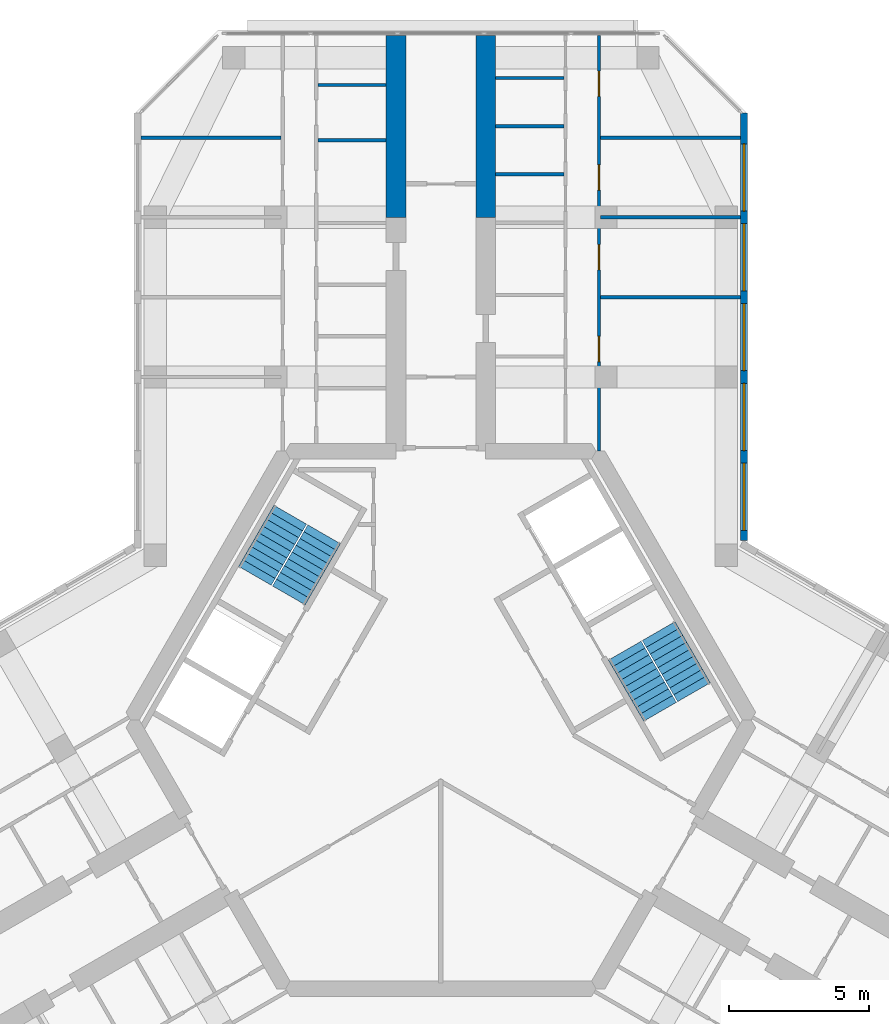
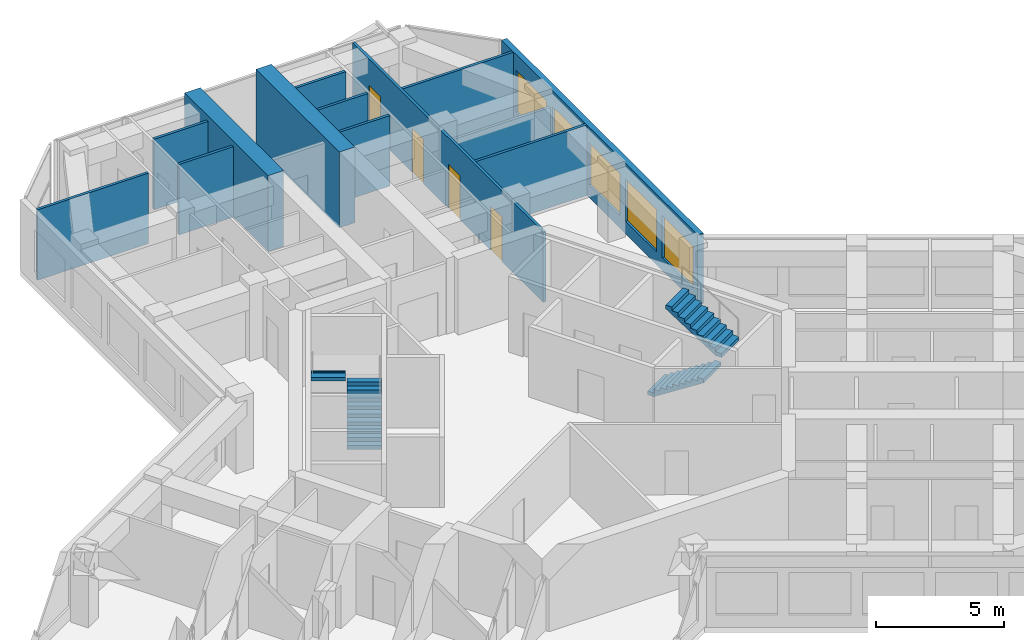
# One storey, part 13 of 14: 13 walls, 5 windows, 4 doors, 4 stair flights, 9 openings, 2 elements without a shape of their own.
"""IFC4 building model written with IfcOpenShell, lengths in metres."""

from ifc_helpers import new_model, si_unit, direction, frame, frame_2d, origin, place, context, subcontext, project, spatial, polyline, rectangle, outline, extrude, material, layer, layer_set, type_object, element, fill, aggregate, save


model = new_model("IFC4")

# Units and contexts
model_context = context("Model", 3, precision=1e-05, world=origin(), true_north=direction((0.0, 1.0)))
body_context = subcontext(model_context, "Body", "Model", "MODEL_VIEW")
ifc_project = project(units=[si_unit("LENGTHUNIT", "METRE"), si_unit("AREAUNIT", "SQUARE_METRE"), si_unit("VOLUMEUNIT", "CUBIC_METRE"), si_unit("PLANEANGLEUNIT", "RADIAN"), si_unit("MASSUNIT", "GRAM", prefix="KILO")], contexts=[model_context])

# Site, building, storey
site_placement = place(None, origin())
site = spatial("IfcSite", under=ifc_project, at=site_placement, CompositionType="ELEMENT")
building_placement = place(site_placement, origin())
building = spatial("IfcBuilding", under=site, at=building_placement, Name="Kosmar Iwan School Tower", CompositionType="ELEMENT")
storey_placement = place(building_placement, frame((0.0, 0.0, 267.39990234375)))
storey = spatial("IfcBuildingStorey", under=building, at=storey_placement, Name="L67", CompositionType="ELEMENT", Elevation=267.39990234375)

# Walls
ifc_material_1 = material(Name="Concrete C50/60", Category="concrete")
ifc_layer_1 = layer(ifc_material_1, 0.699951171875)
ifc_layer_set_1 = layer_set([ifc_layer_1], Name="Corridor buttress wall 700")
wall_type_1 = type_object("IfcWallType", Name="Corridor buttress wall 700", PredefinedType="SHEAR", material=ifc_layer_set_1)
for number, where, z_axis, x_axis, name in (
    (1, (-1.60009765625, 17.949951171875, 0.0), (0.0, 0.0, 1.0), (0.0, 1.0, 0.0), "Corridor wall AL bay 2"),
    (2, (1.60009765625, 17.949951171875, 0.0), (0.0, 0.0, 1.0), (0.0, 1.0, 0.0), "Corridor wall AR bay 2"),
):
    element("IfcWall", number, at=place(storey_placement, frame(where, z_axis=z_axis, x_axis=x_axis)), inside=storey, type_object=wall_type_1, Name=name, PredefinedType="SHEAR", context=body_context, shape_type="SweptSolid", body=[
        extrude(rectangle(XDim=6.4951171875, YDim=0.699951171875, at=frame_2d((3.24755859375, 0.0))), origin(), (0.0, 0.0, 1.0), 3.60009765625),
    ])
ifc_material_2 = material(Name="Gypsum board on steel studs", Category="steel")
ifc_layer_2 = layer(ifc_material_2, 0.1201171875)
ifc_layer_set_2 = layer_set([ifc_layer_2], Name="Dwelling partition 120")
wall_type_2 = type_object("IfcWallType", Name="Dwelling partition 120", PredefinedType="PARTITIONING", material=ifc_layer_set_2)
wall_1_placement = place(storey_placement, frame((-5.7099609375, 20.800048828125, 0.0), z_axis=(0.0, 0.0, 1.0), x_axis=(-1.0, 0.0, 0.0)))
element("IfcWall", 3, at=wall_1_placement, inside=storey, type_object=wall_type_2, Name="Partition L67-AL1-X4", PredefinedType="PARTITIONING", context=body_context, shape_type="SweptSolid", body=[
    extrude(rectangle(XDim=4.989990234375, YDim=0.1201171875, at=frame_2d((2.4951171875, 0.0))), origin(), (0.0, 0.0, 1.0), 3.35009765625),
])
for number, where, z_axis, x_axis, name in (
    (4, (-1.949951171875, 20.70703125, 0.0), (0.0, 0.0, 1.0), (-1.0, 0.0, 0.0), "Partition L67-AL1-Y5"),
    (5, (-1.949951171875, 22.678466796875, 0.0), (0.0, 0.0, 1.0), (-1.0, 0.0, 0.0), "Partition L67-AL1-Y6"),
):
    element("IfcWall", number, at=place(storey_placement, frame(where, z_axis=z_axis, x_axis=x_axis)), inside=storey, type_object=wall_type_2, Name=name, PredefinedType="PARTITIONING", context=body_context, shape_type="SweptSolid", body=[
        extrude(rectangle(XDim=2.43994140625, YDim=0.1201171875, at=frame_2d((1.219970703125, 0.0))), origin(), (0.0, 0.0, 1.0), 3.35009765625),
    ])

# Wall, openings, doors
wall_2_placement = place(storey_placement, frame((5.64990234375, 9.60009765625, 0.0), z_axis=(0.0, 0.0, 1.0), x_axis=(0.0, 1.0, 0.0)))
wall_2 = element("IfcWall", 6, at=wall_2_placement, inside=storey, type_object=wall_type_2, Name="Partition L67-AR1-W2", PredefinedType="PARTITIONING", context=body_context, shape_type="SweptSolid", body=[
    extrude(rectangle(XDim=14.844970703125, YDim=0.1201171875, at=frame_2d((7.42236328125, 0.0))), origin(), (0.0, 0.0, 1.0), 3.35009765625),
])
opening_1_placement = place(wall_2_placement, frame((3.199951171875, 0.0, 0.0)))
opening_1 = element("IfcOpeningElement", 7, at=opening_1_placement, cuts=wall_2, Name="Opening D2", PredefinedType="OPENING", context=body_context, shape_type="SweptSolid", body=[
    extrude(rectangle(XDim=0.89990234375, YDim=2.10009765625, at=frame_2d((0.449951171875, 1.050048828125))), frame((0.0, 0.072021484375, 0.0), z_axis=(0.0, -1.0, 0.0), x_axis=(1.0, 0.0, 0.0)), (0.0, 0.0, 1.0), 0.14404296875),
])
opening_2_placement = place(wall_2_placement, frame((6.47509765625, 0.0, 0.0)))
opening_2 = element("IfcOpeningElement", 8, at=opening_2_placement, cuts=wall_2, Name="Opening D2", PredefinedType="OPENING", context=body_context, shape_type="SweptSolid", body=[
    extrude(rectangle(XDim=0.89990234375, YDim=2.10009765625, at=frame_2d((0.449951171875, 1.050048828125))), frame((0.0, 0.072021484375, 0.0), z_axis=(0.0, -1.0, 0.0), x_axis=(1.0, 0.0, 0.0)), (0.0, 0.0, 1.0), 0.14404296875),
])
opening_3_placement = place(wall_2_placement, frame((9.324951171875, 0.0, 0.0)))
opening_3 = element("IfcOpeningElement", 9, at=opening_3_placement, cuts=wall_2, Name="Opening D2", PredefinedType="OPENING", context=body_context, shape_type="SweptSolid", body=[
    extrude(rectangle(XDim=0.89990234375, YDim=2.10009765625, at=frame_2d((0.449951171875, 1.050048828125))), frame((0.0, 0.072021484375, 0.0), z_axis=(0.0, -1.0, 0.0), x_axis=(1.0, 0.0, 0.0)), (0.0, 0.0, 1.0), 0.14404296875),
])
opening_4_placement = place(wall_2_placement, frame((12.675048828125, 0.0, 0.0)))
opening_4 = element("IfcOpeningElement", 10, at=opening_4_placement, cuts=wall_2, Name="Opening D2", PredefinedType="OPENING", context=body_context, shape_type="SweptSolid", body=[
    extrude(rectangle(XDim=0.89990234375, YDim=2.10009765625, at=frame_2d((0.449951171875, 1.050048828125))), frame((0.0, 0.072021484375, 0.0), z_axis=(0.0, -1.0, 0.0), x_axis=(1.0, 0.0, 0.0)), (0.0, 0.0, 1.0), 0.14404296875),
])
ifc_material_3 = material(Name="Timber door in timber frame", Category="wood")
door_type = type_object("IfcDoorType", Name="Internal door 900x2100", OperationType="SINGLE_SWING_LEFT", PredefinedType="DOOR", material=ifc_material_3)
door_1_placement = place(opening_1_placement, origin())
door_1 = element("IfcDoor", 11, at=door_1_placement, inside=storey, type_object=door_type, Name="Living room and kitchen door L67-AR1-F1", OperationType="SINGLE_SWING_LEFT", OverallHeight=2.10009765625, OverallWidth=0.89990234375, PredefinedType="DOOR", context=body_context, shape_type="SweptSolid", body=[
    extrude(rectangle(XDim=0.89990234375, YDim=2.10009765625, at=frame_2d((0.449951171875, 1.050048828125))), frame((0.0, 0.02490234375, 0.0), z_axis=(0.0, -1.0, 0.0), x_axis=(1.0, 0.0, 0.0)), (0.0, 0.0, 1.0), 0.050048828125),
])
fill(opening_1, door_1)
door_2_placement = place(opening_2_placement, origin())
door_2 = element("IfcDoor", 12, at=door_2_placement, inside=storey, type_object=door_type, Name="Study door L67-AR1-F2", OperationType="SINGLE_SWING_LEFT", OverallHeight=2.10009765625, OverallWidth=0.89990234375, PredefinedType="DOOR", context=body_context, shape_type="SweptSolid", body=[
    extrude(rectangle(XDim=0.89990234375, YDim=2.10009765625, at=frame_2d((0.449951171875, 1.050048828125))), frame((0.0, 0.02490234375, 0.0), z_axis=(0.0, -1.0, 0.0), x_axis=(1.0, 0.0, 0.0)), (0.0, 0.0, 1.0), 0.050048828125),
])
fill(opening_2, door_2)
door_3_placement = place(opening_3_placement, origin())
door_3 = element("IfcDoor", 13, at=door_3_placement, inside=storey, type_object=door_type, Name="Dining room door L67-AR1-F3", OperationType="SINGLE_SWING_RIGHT", OverallHeight=2.10009765625, OverallWidth=0.89990234375, PredefinedType="DOOR", context=body_context, shape_type="SweptSolid", body=[
    extrude(rectangle(XDim=0.89990234375, YDim=2.10009765625, at=frame_2d((0.449951171875, 1.050048828125))), frame((0.0, 0.02490234375, 0.0), z_axis=(0.0, -1.0, 0.0), x_axis=(1.0, 0.0, 0.0)), (0.0, 0.0, 1.0), 0.050048828125),
])
fill(opening_3, door_3)
door_4_placement = place(opening_4_placement, origin())
door_4 = element("IfcDoor", 14, at=door_4_placement, inside=storey, type_object=door_type, Name="Bedroom 1 door L67-AR1-F4", OperationType="SINGLE_SWING_RIGHT", OverallHeight=2.10009765625, OverallWidth=0.89990234375, PredefinedType="DOOR", context=body_context, shape_type="SweptSolid", body=[
    extrude(rectangle(XDim=0.89990234375, YDim=2.10009765625, at=frame_2d((0.449951171875, 1.050048828125))), frame((0.0, 0.02490234375, 0.0), z_axis=(0.0, -1.0, 0.0), x_axis=(1.0, 0.0, 0.0)), (0.0, 0.0, 1.0), 0.050048828125),
])
fill(opening_4, door_4)

# Walls
wall_3_placement = place(storey_placement, frame((5.7099609375, 15.10009765625, 0.0), z_axis=(0.0, 0.0, 1.0), x_axis=(1.0, 0.0, 0.0)))
element("IfcWall", 15, at=wall_3_placement, inside=storey, type_object=wall_type_2, Name="Partition L67-AR1-X1", PredefinedType="PARTITIONING", context=body_context, shape_type="SweptSolid", body=[
    extrude(rectangle(XDim=4.989990234375, YDim=0.1201171875, at=frame_2d((2.4951171875, 0.0))), origin(), (0.0, 0.0, 1.0), 3.35009765625),
])
wall_4_placement = place(storey_placement, frame((5.7099609375, 17.949951171875, 0.0), z_axis=(0.0, 0.0, 1.0), x_axis=(1.0, 0.0, 0.0)))
element("IfcWall", 16, at=wall_4_placement, inside=storey, type_object=wall_type_2, Name="Partition L67-AR1-X2", PredefinedType="PARTITIONING", context=body_context, shape_type="SweptSolid", body=[
    extrude(rectangle(XDim=4.989990234375, YDim=0.1201171875, at=frame_2d((2.4951171875, 0.0))), origin(), (0.0, 0.0, 1.0), 2.4501953125),
])
wall_5_placement = place(storey_placement, frame((5.7099609375, 20.800048828125, 0.0), z_axis=(0.0, 0.0, 1.0), x_axis=(1.0, 0.0, 0.0)))
element("IfcWall", 17, at=wall_5_placement, inside=storey, type_object=wall_type_2, Name="Partition L67-AR1-X3", PredefinedType="PARTITIONING", context=body_context, shape_type="SweptSolid", body=[
    extrude(rectangle(XDim=4.989990234375, YDim=0.1201171875, at=frame_2d((2.4951171875, 0.0))), origin(), (0.0, 0.0, 1.0), 3.35009765625),
])
for number, where, z_axis, x_axis, name in (
    (18, (1.949951171875, 19.484619140625, 0.0), (0.0, 0.0, 1.0), (1.0, 0.0, 0.0), "Partition L67-AR1-Y4"),
    (19, (1.949951171875, 21.206298828125, 0.0), (0.0, 0.0, 1.0), (1.0, 0.0, 0.0), "Partition L67-AR1-Y5"),
    (20, (1.949951171875, 22.92822265625, 0.0), (0.0, 0.0, 1.0), (1.0, 0.0, 0.0), "Partition L67-AR1-Y6"),
):
    element("IfcWall", number, at=place(storey_placement, frame(where, z_axis=z_axis, x_axis=x_axis)), inside=storey, type_object=wall_type_2, Name=name, PredefinedType="PARTITIONING", context=body_context, shape_type="SweptSolid", body=[
        extrude(rectangle(XDim=2.43994140625, YDim=0.1201171875, at=frame_2d((1.219970703125, 0.0))), origin(), (0.0, 0.0, 1.0), 3.35009765625),
    ])

# Wall, openings, windows
ifc_material_4 = material(Name="Black aluminium rainscreen on insulated framing", Category="aluminium")
ifc_layer_3 = layer(ifc_material_4, 0.25)
ifc_layer_set_3 = layer_set([ifc_layer_3], Name="External wall rainscreen 250")
wall_type_3 = type_object("IfcWallType", Name="External wall rainscreen 250", PredefinedType="SOLIDWALL", material=ifc_layer_set_3)
wall_6_placement = place(storey_placement, frame((10.824951171875, 6.408935546875, 0.0), z_axis=(0.0, 0.0, 1.0), x_axis=(0.0, 1.0, 0.0)))
wall_6 = element("IfcWall", 21, at=wall_6_placement, inside=storey, type_object=wall_type_3, Name="External wall AR L67", PredefinedType="SOLIDWALL", context=body_context, shape_type="SweptSolid", body=[
    extrude(rectangle(XDim=15.2763671875, YDim=0.25, at=frame_2d((7.63818359375, 0.0))), origin(), (0.0, 0.0, 1.0), 3.35009765625),
])
opening_5_placement = place(wall_6_placement, frame((0.365966796875, 0.0, 0.60009765625)))
opening_5 = element("IfcOpeningElement", 22, at=opening_5_placement, cuts=wall_6, Name="Opening W6", PredefinedType="OPENING", context=body_context, shape_type="SweptSolid", body=[
    extrude(rectangle(XDim=2.39990234375, YDim=2.0, at=frame_2d((1.199951171875, 1.0))), frame((0.0, 0.136962890625, 0.0), z_axis=(0.0, -1.0, 0.0), x_axis=(1.0, 0.0, 0.0)), (0.0, 0.0, 1.0), 0.27392578125),
])
opening_6_placement = place(wall_6_placement, frame((3.216064453125, 0.0, 0.60009765625)))
opening_6 = element("IfcOpeningElement", 23, at=opening_6_placement, cuts=wall_6, Name="Opening W6", PredefinedType="OPENING", context=body_context, shape_type="SweptSolid", body=[
    extrude(rectangle(XDim=2.39990234375, YDim=2.0, at=frame_2d((1.199951171875, 1.0))), frame((0.0, 0.136962890625, 0.0), z_axis=(0.0, -1.0, 0.0), x_axis=(1.0, 0.0, 0.0)), (0.0, 0.0, 1.0), 0.27392578125),
])
opening_7_placement = place(wall_6_placement, frame((6.06591796875, 0.0, 0.60009765625)))
opening_7 = element("IfcOpeningElement", 24, at=opening_7_placement, cuts=wall_6, Name="Opening W6", PredefinedType="OPENING", context=body_context, shape_type="SweptSolid", body=[
    extrude(rectangle(XDim=2.39990234375, YDim=2.0, at=frame_2d((1.199951171875, 1.0))), frame((0.0, 0.136962890625, 0.0), z_axis=(0.0, -1.0, 0.0), x_axis=(1.0, 0.0, 0.0)), (0.0, 0.0, 1.0), 0.27392578125),
])
opening_8_placement = place(wall_6_placement, frame((8.916015625, 0.0, 0.60009765625)))
opening_8 = element("IfcOpeningElement", 25, at=opening_8_placement, cuts=wall_6, Name="Opening W6", PredefinedType="OPENING", context=body_context, shape_type="SweptSolid", body=[
    extrude(rectangle(XDim=2.39990234375, YDim=2.0, at=frame_2d((1.199951171875, 1.0))), frame((0.0, 0.136962890625, 0.0), z_axis=(0.0, -1.0, 0.0), x_axis=(1.0, 0.0, 0.0)), (0.0, 0.0, 1.0), 0.27392578125),
])
opening_9_placement = place(wall_6_placement, frame((11.76611328125, 0.0, 0.60009765625)))
opening_9 = element("IfcOpeningElement", 26, at=opening_9_placement, cuts=wall_6, Name="Opening W6", PredefinedType="OPENING", context=body_context, shape_type="SweptSolid", body=[
    extrude(rectangle(XDim=2.39990234375, YDim=2.0, at=frame_2d((1.199951171875, 1.0))), frame((0.0, 0.136962890625, 0.0), z_axis=(0.0, -1.0, 0.0), x_axis=(1.0, 0.0, 0.0)), (0.0, 0.0, 1.0), 0.27392578125),
])
ifc_material_5 = material(Name="Black aluminium frame with dark triple glazing", Category="aluminium")
window_type = type_object("IfcWindowType", Name="Window 2400x2000", PartitioningType="SINGLE_PANEL", PredefinedType="WINDOW", material=ifc_material_5)
window_1_placement = place(opening_5_placement, origin())
window_1 = element("IfcWindow", 27, at=window_1_placement, inside=storey, type_object=window_type, Name="Window AR L67 -1", OverallHeight=2.0, OverallWidth=2.39990234375, PartitioningType="SINGLE_PANEL", PredefinedType="WINDOW", context=body_context, shape_type="SweptSolid", body=[
    extrude(rectangle(XDim=2.39990234375, YDim=2.0, at=frame_2d((1.199951171875, 1.0))), frame((0.0, 0.030029296875, 0.0), z_axis=(0.0, -1.0, 0.0), x_axis=(1.0, 0.0, 0.0)), (0.0, 0.0, 1.0), 0.06005859375),
])
fill(opening_5, window_1)
window_2_placement = place(opening_6_placement, origin())
window_2 = element("IfcWindow", 28, at=window_2_placement, inside=storey, type_object=window_type, Name="Window AR L67 0", OverallHeight=2.0, OverallWidth=2.39990234375, PartitioningType="SINGLE_PANEL", PredefinedType="WINDOW", context=body_context, shape_type="SweptSolid", body=[
    extrude(rectangle(XDim=2.39990234375, YDim=2.0, at=frame_2d((1.199951171875, 1.0))), frame((0.0, 0.030029296875, 0.0), z_axis=(0.0, -1.0, 0.0), x_axis=(1.0, 0.0, 0.0)), (0.0, 0.0, 1.0), 0.06005859375),
])
fill(opening_6, window_2)
window_3_placement = place(opening_7_placement, origin())
window_3 = element("IfcWindow", 29, at=window_3_placement, inside=storey, type_object=window_type, Name="Window AR L67 1", OverallHeight=2.0, OverallWidth=2.39990234375, PartitioningType="SINGLE_PANEL", PredefinedType="WINDOW", context=body_context, shape_type="SweptSolid", body=[
    extrude(rectangle(XDim=2.39990234375, YDim=2.0, at=frame_2d((1.199951171875, 1.0))), frame((0.0, 0.030029296875, 0.0), z_axis=(0.0, -1.0, 0.0), x_axis=(1.0, 0.0, 0.0)), (0.0, 0.0, 1.0), 0.06005859375),
])
fill(opening_7, window_3)
window_4_placement = place(opening_8_placement, origin())
window_4 = element("IfcWindow", 30, at=window_4_placement, inside=storey, type_object=window_type, Name="Window AR L67 2", OverallHeight=2.0, OverallWidth=2.39990234375, PartitioningType="SINGLE_PANEL", PredefinedType="WINDOW", context=body_context, shape_type="SweptSolid", body=[
    extrude(rectangle(XDim=2.39990234375, YDim=2.0, at=frame_2d((1.199951171875, 1.0))), frame((0.0, 0.030029296875, 0.0), z_axis=(0.0, -1.0, 0.0), x_axis=(1.0, 0.0, 0.0)), (0.0, 0.0, 1.0), 0.06005859375),
])
fill(opening_8, window_4)
window_5_placement = place(opening_9_placement, origin())
window_5 = element("IfcWindow", 31, at=window_5_placement, inside=storey, type_object=window_type, Name="Window AR L67 3", OverallHeight=2.0, OverallWidth=2.39990234375, PartitioningType="SINGLE_PANEL", PredefinedType="WINDOW", context=body_context, shape_type="SweptSolid", body=[
    extrude(rectangle(XDim=2.39990234375, YDim=2.0, at=frame_2d((1.199951171875, 1.0))), frame((0.0, 0.030029296875, 0.0), z_axis=(0.0, -1.0, 0.0), x_axis=(1.0, 0.0, 0.0)), (0.0, 0.0, 1.0), 0.06005859375),
])
fill(opening_9, window_5)

# Stair, stair flights
ifc_material_6 = material(Name="Concrete C35/45", Category="concrete")
stair_type = type_object("IfcStairType", Name="Core stair 2750", PredefinedType="HALF_TURN_STAIR", material=ifc_material_6)
stair_1_placement = place(storey_placement, origin())
stair_1 = element("IfcStair", 32, at=stair_1_placement, inside=storey, type_object=stair_type, Name="Stair ST2 L67", PredefinedType="HALF_TURN_STAIR")
ifc_material_7 = material(Name="Concrete C35/45", Category="concrete")
stair_flight_type = type_object("IfcStairFlightType", Name="Stair flight 1350", PredefinedType="STRAIGHT", material=ifc_material_7)
stair_flight_1_placement = place(storey_placement, frame((-5.42724609375, 4.44970703125, 0.0), z_axis=(0.0, 0.0, 1.0), x_axis=(0.5, 0.866025403784, 0.0)))
stair_flight_1 = element("IfcStairFlight", 33, at=stair_flight_1_placement, type_object=stair_flight_type, Name="ST2 flight 1", NumberOfRisers=10, NumberOfTreads=9, PredefinedType="STRAIGHT", RiserHeight=0.18, TreadLength=0.28, context=body_context, shape_type="SweptSolid", body=[
    extrude(outline(polyline([(0.0, 0.0), (0.0, 0.179931640625), (0.280029296875, 0.179931640625), (0.280029296875, 0.360107421875), (0.56005859375, 0.360107421875), (0.56005859375, 0.5400390625), (0.840087890625, 0.5400390625), (0.840087890625, 0.719970703125), (1.1201171875, 0.719970703125), (1.1201171875, 0.89990234375), (1.39990234375, 0.89990234375), (1.39990234375, 1.080078125), (1.679931640625, 1.080078125), (1.679931640625, 1.260009765625), (1.9599609375, 1.260009765625), (1.9599609375, 1.43994140625), (2.239990234375, 1.43994140625), (2.239990234375, 1.6201171875), (2.52001953125, 1.6201171875), (2.52001953125, 1.800048828125), (2.52001953125, 1.44189453125), (0.277099609375, 0.0), (0.0, 0.0)])), frame((0.0, 0.675048828125, 0.0), z_axis=(0.0, -1.0, 0.0), x_axis=(1.0, 0.0, 0.0)), (0.0, 0.0, 1.0), 1.35009765625),
])
stair_flight_2_placement = place(storey_placement, frame((-5.379638671875, 7.33203125, 1.800048828125), z_axis=(0.0, 0.0, 1.0), x_axis=(-0.5, -0.866025403784, 0.0)))
stair_flight_2 = element("IfcStairFlight", 34, at=stair_flight_2_placement, type_object=stair_flight_type, Name="ST2 flight 2", NumberOfRisers=10, NumberOfTreads=9, PredefinedType="STRAIGHT", RiserHeight=0.18, TreadLength=0.28, context=body_context, shape_type="SweptSolid", body=[
    extrude(outline(polyline([(0.0, 0.0), (0.0, 0.179931640625), (0.280029296875, 0.179931640625), (0.280029296875, 0.360107421875), (0.56005859375, 0.360107421875), (0.56005859375, 0.5400390625), (0.840087890625, 0.5400390625), (0.840087890625, 0.719970703125), (1.1201171875, 0.719970703125), (1.1201171875, 0.89990234375), (1.39990234375, 0.89990234375), (1.39990234375, 1.080078125), (1.679931640625, 1.080078125), (1.679931640625, 1.260009765625), (1.9599609375, 1.260009765625), (1.9599609375, 1.43994140625), (2.239990234375, 1.43994140625), (2.239990234375, 1.6201171875), (2.52001953125, 1.6201171875), (2.52001953125, 1.800048828125), (2.52001953125, 1.44189453125), (0.277099609375, 0.0), (0.0, 0.0)])), frame((0.0, 0.675048828125, 0.0), z_axis=(0.0, -1.0, 0.0), x_axis=(1.0, 0.0, 0.0)), (0.0, 0.0, 1.0), 1.35009765625),
])
aggregate(stair_1, [stair_flight_1, stair_flight_2])

stair_2_placement = place(storey_placement, origin())
stair_2 = element("IfcStair", 35, at=stair_2_placement, inside=storey, type_object=stair_type, Name="Stair ST1 L67", PredefinedType="HALF_TURN_STAIR")
stair_flight_3_placement = place(storey_placement, frame((6.567138671875, 2.475341796875, 0.0), z_axis=(0.0, 0.0, 1.0), x_axis=(0.5, -0.866025403784, 0.0)))
stair_flight_3 = element("IfcStairFlight", 36, at=stair_flight_3_placement, type_object=stair_flight_type, Name="ST1 flight 1", NumberOfRisers=10, NumberOfTreads=9, PredefinedType="STRAIGHT", RiserHeight=0.18, TreadLength=0.28, context=body_context, shape_type="SweptSolid", body=[
    extrude(outline(polyline([(0.0, 0.0), (0.0, 0.179931640625), (0.280029296875, 0.179931640625), (0.280029296875, 0.360107421875), (0.56005859375, 0.360107421875), (0.56005859375, 0.5400390625), (0.840087890625, 0.5400390625), (0.840087890625, 0.719970703125), (1.1201171875, 0.719970703125), (1.1201171875, 0.89990234375), (1.39990234375, 0.89990234375), (1.39990234375, 1.080078125), (1.679931640625, 1.080078125), (1.679931640625, 1.260009765625), (1.9599609375, 1.260009765625), (1.9599609375, 1.43994140625), (2.239990234375, 1.43994140625), (2.239990234375, 1.6201171875), (2.52001953125, 1.6201171875), (2.52001953125, 1.800048828125), (2.52001953125, 1.44189453125), (0.277099609375, 0.0), (0.0, 0.0)])), frame((0.0, 0.675048828125, 0.0), z_axis=(0.0, -1.0, 0.0), x_axis=(1.0, 0.0, 0.0)), (0.0, 0.0, 1.0), 1.35009765625),
])
stair_flight_4_placement = place(storey_placement, frame((9.03955078125, 0.992919921875, 1.800048828125), z_axis=(0.0, 0.0, 1.0), x_axis=(-0.5, 0.866025403784, 0.0)))
stair_flight_4 = element("IfcStairFlight", 37, at=stair_flight_4_placement, type_object=stair_flight_type, Name="ST1 flight 2", NumberOfRisers=10, NumberOfTreads=9, PredefinedType="STRAIGHT", RiserHeight=0.18, TreadLength=0.28, context=body_context, shape_type="SweptSolid", body=[
    extrude(outline(polyline([(0.0, 0.0), (0.0, 0.179931640625), (0.280029296875, 0.179931640625), (0.280029296875, 0.360107421875), (0.56005859375, 0.360107421875), (0.56005859375, 0.5400390625), (0.840087890625, 0.5400390625), (0.840087890625, 0.719970703125), (1.1201171875, 0.719970703125), (1.1201171875, 0.89990234375), (1.39990234375, 0.89990234375), (1.39990234375, 1.080078125), (1.679931640625, 1.080078125), (1.679931640625, 1.260009765625), (1.9599609375, 1.260009765625), (1.9599609375, 1.43994140625), (2.239990234375, 1.43994140625), (2.239990234375, 1.6201171875), (2.52001953125, 1.6201171875), (2.52001953125, 1.800048828125), (2.52001953125, 1.44189453125), (0.277099609375, 0.0), (0.0, 0.0)])), frame((0.0, 0.675048828125, 0.0), z_axis=(0.0, -1.0, 0.0), x_axis=(1.0, 0.0, 0.0)), (0.0, 0.0, 1.0), 1.35009765625),
])
aggregate(stair_2, [stair_flight_3, stair_flight_4])

save(model, "model.ifc")
